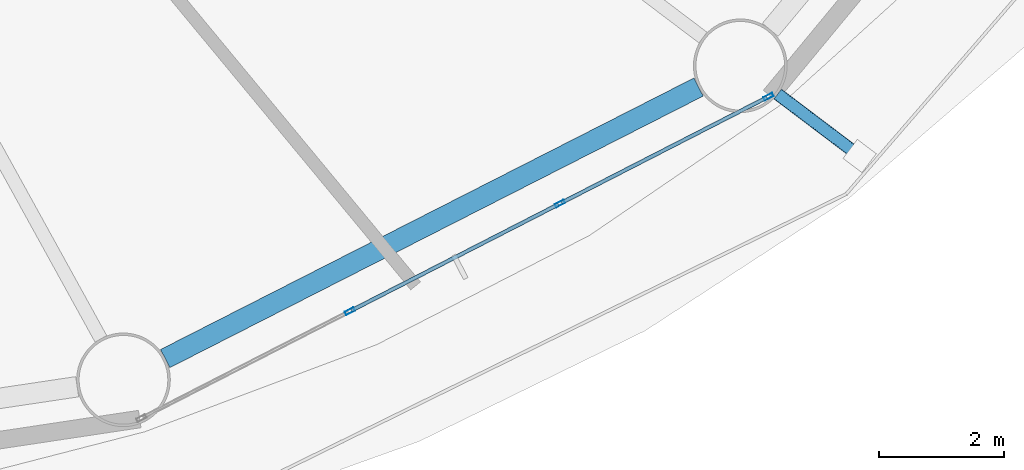
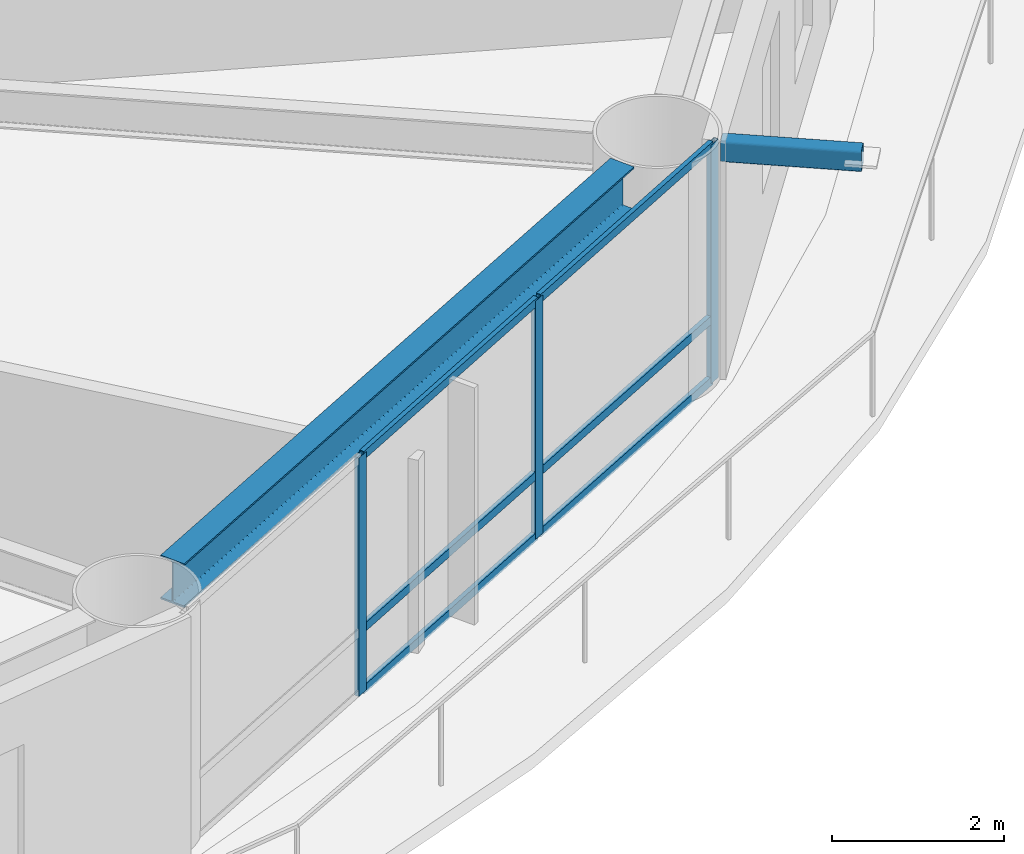
# One storey, part 8 of 26: 10 members, 1 beam, 1 element without a shape of its own.
"""IFC4 building model written with IfcOpenShell, lengths in metres."""

from ifc_helpers import new_model, si_unit, direction, frame, origin, origin_2d, place, context, subcontext, project, spatial, hollow_rectangle, i_section, extrude, material, layer, layer_set, material_profile, profile_set, type_object, element, aggregate, save


model = new_model("IFC4")

# Units and contexts
model_context = context("Model", 3, precision=1e-05, world=origin(), true_north=direction((0.0, 1.0)))
body_context = subcontext(model_context, "Body", "Model", "MODEL_VIEW")
ifc_project = project(units=[si_unit("LENGTHUNIT", "METRE"), si_unit("AREAUNIT", "SQUARE_METRE"), si_unit("VOLUMEUNIT", "CUBIC_METRE"), si_unit("PLANEANGLEUNIT", "RADIAN"), si_unit("MASSUNIT", "GRAM", prefix="KILO")], contexts=[model_context])

# Site, building, storey
site_placement = place(None, origin())
site = spatial("IfcSite", under=ifc_project, at=site_placement, CompositionType="ELEMENT")
building_placement = place(site_placement, origin())
building = spatial("IfcBuilding", under=site, at=building_placement, Name="Sarneth Arch Tower", CompositionType="ELEMENT")
storey_placement = place(building_placement, frame((0.0, 0.0, 35.39990234375)))
storey = spatial("IfcBuildingStorey", under=building, at=storey_placement, Name="L07", CompositionType="ELEMENT", Elevation=35.39990234375)

# Beam
ifc_material_1 = material(Name="Steel S355", Category="steel")
ifc_material_profile_1 = material_profile(ifc_material_1, i_section(OverallWidth=0.326904296875, OverallDepth=0.6220703125, WebThickness=0.015380859375, FlangeThickness=0.0244140625, FilletRadius=0.01904296875, at=origin_2d()), Name="W610x195")
ifc_profile_set_1 = profile_set([ifc_material_profile_1], Name="Steel S355")
beam_type = type_object("IfcBeamType", Name="BM-SPAN-610A", PredefinedType="SPANDREL", material=ifc_profile_set_1)
beam_placement = place(storey_placement, frame((60.486083984375, 20.90625, 3.069091796875), z_axis=(0.891169106887, 0.453671271882, 0.0), x_axis=(-0.453671271882, 0.891169106887, 0.0)))
element("IfcBeam", 1, at=beam_placement, inside=storey, type_object=beam_type, Name="L07 Perimeter spandrel beam 14", PredefinedType="SPANDREL", context=body_context, shape_type="SweptSolid", body=[
    extrude(i_section(OverallWidth=0.326904296875, OverallDepth=0.6220703125, WebThickness=0.015380859375, FlangeThickness=0.0244140625, FilletRadius=0.01904296875, at=origin_2d()), origin(), (0.0, 0.0, 1.0), 9.58544921875),
])

# Curtain wall, members
ifc_material_2 = material(Name="Anodised aluminium Type AA25 and solar-control low-e laminated IGU", Category="aluminium")
ifc_layer = layer(ifc_material_2, 0.159912109375)
ifc_layer_set = layer_set([ifc_layer], Name="Anodised aluminium Type AA25 and solar-control low-e laminated IGU")
curtain_wall_type = type_object("IfcCurtainWallType", Name="CW-HOTEL-LOW", PredefinedType="NOTDEFINED", material=ifc_layer_set)
curtain_wall_placement = place(storey_placement, origin())
curtain_wall = element("IfcCurtainWall", 2, at=curtain_wall_placement, inside=storey, type_object=curtain_wall_type, Name="L07 Unitised curtain wall facet 14", PredefinedType="NOTDEFINED")
ifc_material_3 = material(Name="Anodised Aluminium 6063-T6", Category="aluminium")
ifc_material_profile_2 = material_profile(ifc_material_3, hollow_rectangle(XDim=0.06005859375, YDim=0.159912109375, WallThickness=0.00390625, at=origin_2d()), Name="AL-MULL-160x60x4")
ifc_profile_set_2 = profile_set([ifc_material_profile_2], Name="Anodised Aluminium 6063-T6")
member_type_1 = type_object("IfcMemberType", Name="CW-MULLION", PredefinedType="MULLION", material=ifc_profile_set_2)
member_1_placement = place(storey_placement, frame((63.443359375, 21.663330078125, 0.0), z_axis=(0.0, 0.0, 1.0), x_axis=(-0.456245197127, 0.889854100456, 0.0)))
member_1 = element("IfcMember", 3, at=member_1_placement, type_object=member_type_1, Name="CW-SYS-3 mullion 2", PredefinedType="MULLION", context=body_context, shape_type="SweptSolid", body=[
    extrude(hollow_rectangle(XDim=0.06005859375, YDim=0.159912109375, WallThickness=0.00390625, at=origin_2d()), origin(), (0.0, 0.0, 1.0), 3.380126953125),
])
member_2_placement = place(storey_placement, frame((66.80859375, 23.388671875, 0.0), z_axis=(0.0, 0.0, 1.0), x_axis=(-0.456245197127, 0.889854100456, 0.0)))
member_2 = element("IfcMember", 4, at=member_2_placement, type_object=member_type_1, Name="CW-SYS-3 mullion 3", PredefinedType="MULLION", context=body_context, shape_type="SweptSolid", body=[
    extrude(hollow_rectangle(XDim=0.06005859375, YDim=0.159912109375, WallThickness=0.00390625, at=origin_2d()), origin(), (0.0, 0.0, 1.0), 3.380126953125),
])
member_3_placement = place(storey_placement, frame((70.1474609375, 25.1005859375, 0.0), z_axis=(0.0, 0.0, 1.0), x_axis=(-0.456245197127, 0.889854100456, 0.0)))
member_3 = element("IfcMember", 5, at=member_3_placement, type_object=member_type_1, Name="CW-SYS-3 mullion 4", PredefinedType="MULLION", context=body_context, shape_type="SweptSolid", body=[
    extrude(hollow_rectangle(XDim=0.06005859375, YDim=0.159912109375, WallThickness=0.00390625, at=origin_2d()), origin(), (0.0, 0.0, 1.0), 3.380126953125),
])
ifc_material_4 = material(Name="Anodised Aluminium 6063-T6", Category="aluminium")
ifc_material_profile_3 = material_profile(ifc_material_4, hollow_rectangle(XDim=0.06005859375, YDim=0.1201171875, WallThickness=0.00390625, at=origin_2d()), Name="AL-TRAN-120x60x4")
ifc_profile_set_3 = profile_set([ifc_material_profile_3], Name="Anodised Aluminium 6063-T6")
member_type_2 = type_object("IfcMemberType", Name="CW-TRANSOM", PredefinedType="USERDEFINED", material=ifc_profile_set_3)
member_4_placement = place(storey_placement, frame((63.469970703125, 21.677001953125, 0.030029296875), z_axis=(0.889868677022, 0.456216766083, 0.0), x_axis=(-0.456216766083, 0.889868677022, 0.0)))
member_4 = element("IfcMember", 6, at=member_4_placement, type_object=member_type_2, Name="CW-SYS-3 transom 2.1", ObjectType="TRANSOM", PredefinedType="USERDEFINED", context=body_context, shape_type="SweptSolid", body=[
    extrude(hollow_rectangle(XDim=0.06005859375, YDim=0.1201171875, WallThickness=0.00390625, at=origin_2d()), origin(), (0.0, 0.0, 1.0), 3.721923828125),
])
member_5_placement = place(storey_placement, frame((63.469970703125, 21.677001953125, 0.900146484375), z_axis=(0.889868677022, 0.456216766083, 0.0), x_axis=(-0.456216766083, 0.889868677022, 0.0)))
member_5 = element("IfcMember", 7, at=member_5_placement, type_object=member_type_2, Name="CW-SYS-3 transom 2.2", ObjectType="TRANSOM", PredefinedType="USERDEFINED", context=body_context, shape_type="SweptSolid", body=[
    extrude(hollow_rectangle(XDim=0.06005859375, YDim=0.1201171875, WallThickness=0.00390625, at=origin_2d()), origin(), (0.0, 0.0, 1.0), 3.721923828125),
])
member_6_placement = place(storey_placement, frame((63.469970703125, 21.677001953125, 3.35009765625), z_axis=(0.889868677022, 0.456216766083, 0.0), x_axis=(-0.456216766083, 0.889868677022, 0.0)))
member_6 = element("IfcMember", 8, at=member_6_placement, type_object=member_type_2, Name="CW-SYS-3 transom 2.3", ObjectType="TRANSOM", PredefinedType="USERDEFINED", context=body_context, shape_type="SweptSolid", body=[
    extrude(hollow_rectangle(XDim=0.06005859375, YDim=0.1201171875, WallThickness=0.00390625, at=origin_2d()), origin(), (0.0, 0.0, 1.0), 3.721923828125),
])
member_7_placement = place(storey_placement, frame((66.83544921875, 23.402587890625, 0.030029296875), z_axis=(0.889871845224, 0.456210586327, 0.0), x_axis=(-0.456210586327, 0.889871845224, 0.0)))
member_7 = element("IfcMember", 9, at=member_7_placement, type_object=member_type_2, Name="CW-SYS-3 transom 3.1", ObjectType="TRANSOM", PredefinedType="USERDEFINED", context=body_context, shape_type="SweptSolid", body=[
    extrude(hollow_rectangle(XDim=0.06005859375, YDim=0.1201171875, WallThickness=0.00390625, at=origin_2d()), origin(), (0.0, 0.0, 1.0), 3.69189453125),
])
member_8_placement = place(storey_placement, frame((66.83544921875, 23.402587890625, 0.900146484375), z_axis=(0.889871845224, 0.456210586327, 0.0), x_axis=(-0.456210586327, 0.889871845224, 0.0)))
member_8 = element("IfcMember", 10, at=member_8_placement, type_object=member_type_2, Name="CW-SYS-3 transom 3.2", ObjectType="TRANSOM", PredefinedType="USERDEFINED", context=body_context, shape_type="SweptSolid", body=[
    extrude(hollow_rectangle(XDim=0.06005859375, YDim=0.1201171875, WallThickness=0.00390625, at=origin_2d()), origin(), (0.0, 0.0, 1.0), 3.69189453125),
])
member_9_placement = place(storey_placement, frame((66.83544921875, 23.402587890625, 3.35009765625), z_axis=(0.889871845224, 0.456210586327, 0.0), x_axis=(-0.456210586327, 0.889871845224, 0.0)))
member_9 = element("IfcMember", 11, at=member_9_placement, type_object=member_type_2, Name="CW-SYS-3 transom 3.3", ObjectType="TRANSOM", PredefinedType="USERDEFINED", context=body_context, shape_type="SweptSolid", body=[
    extrude(hollow_rectangle(XDim=0.06005859375, YDim=0.1201171875, WallThickness=0.00390625, at=origin_2d()), origin(), (0.0, 0.0, 1.0), 3.69189453125),
])
aggregate(curtain_wall, [member_1, member_2, member_3, member_4, member_5, member_6, member_7, member_8, member_9])

# Member
ifc_material_5 = material(Name="Steel S355", Category="steel")
ifc_material_profile_4 = material_profile(ifc_material_5, hollow_rectangle(XDim=0.199951171875, YDim=0.300048828125, WallThickness=0.012451171875, InnerFilletRadius=0.018798828125, OuterFilletRadius=0.03125, at=origin_2d()), Name="RHS300x200x12.5")
ifc_profile_set_4 = profile_set([ifc_material_profile_4], Name="Steel S355")
member_type_3 = type_object("IfcMemberType", Name="MEM-CANT-STRUT", PredefinedType="STRUT", material=ifc_profile_set_4)
member_10_placement = place(storey_placement, frame((70.294921875, 25.142822265625, 3.22021484375), z_axis=(0.797662811248, -0.603103672308, 0.0), x_axis=(0.603103672308, 0.797662811248, 0.0)))
element("IfcMember", 12, at=member_10_placement, inside=storey, type_object=member_type_3, Name="L07 Balcony cantilever bracket 15", PredefinedType="STRUT", context=body_context, shape_type="SweptSolid", body=[
    extrude(hollow_rectangle(XDim=0.199951171875, YDim=0.300048828125, WallThickness=0.012451171875, InnerFilletRadius=0.018798828125, OuterFilletRadius=0.03125, at=origin_2d()), origin(), (0.0, 0.0, 1.0), 1.646240234375),
])

save(model, "model.ifc")
